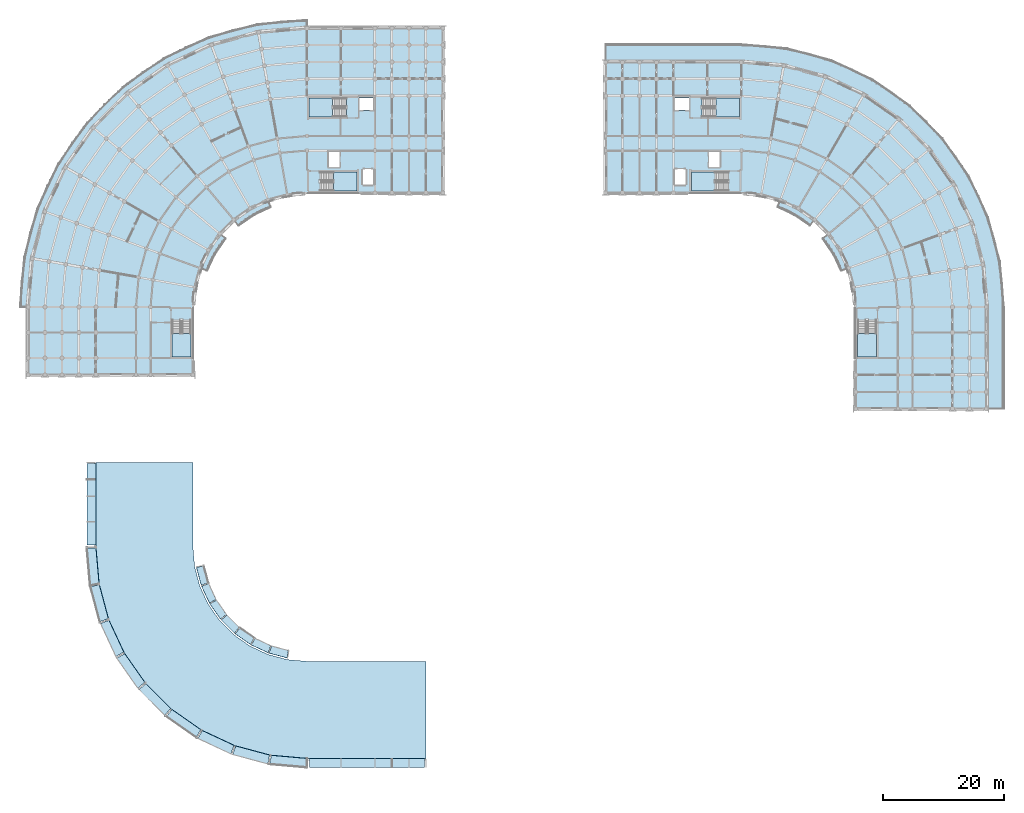
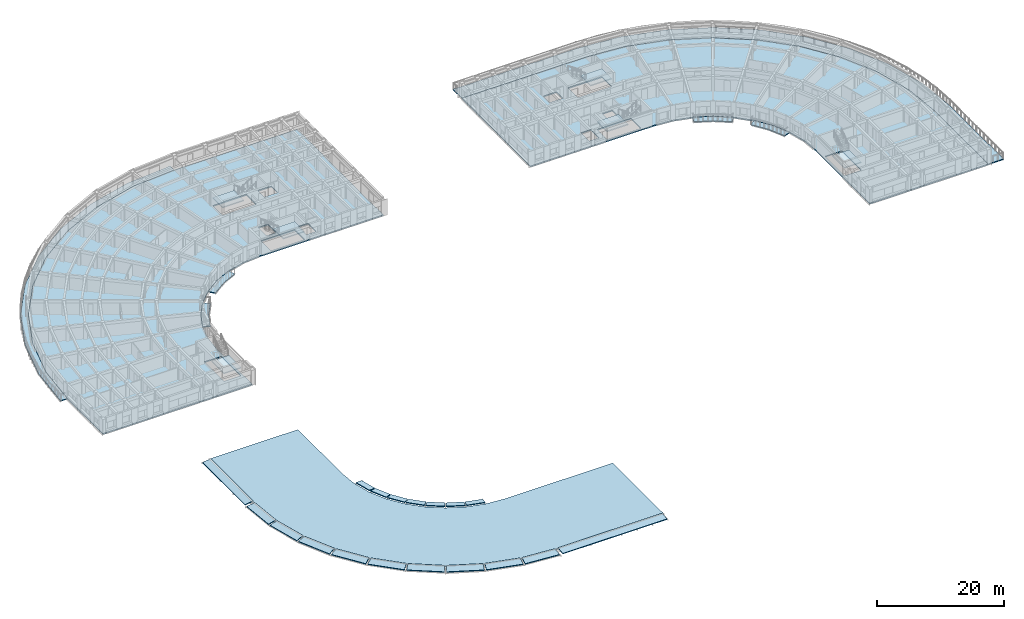
# One storey, part 11 of 41: 33 slabs, 7 elements without a shape of their own.
"""IFC4 building model written with IfcOpenShell, lengths in metres."""

from ifc_helpers import new_model, si_unit, direction, frame, origin, place, context, subcontext, project, spatial, polyline, outline, extrude, material, layer, layer_set, type_object, element, aggregate, save


model = new_model("IFC4")

# Units and contexts
model_context = context("Model", 3, precision=1e-05, world=origin(), true_north=direction((0.0, 1.0)))
body_context = subcontext(model_context, "Body", "Model", "MODEL_VIEW")
ifc_project = project(units=[si_unit("LENGTHUNIT", "METRE"), si_unit("AREAUNIT", "SQUARE_METRE"), si_unit("VOLUMEUNIT", "CUBIC_METRE"), si_unit("PLANEANGLEUNIT", "RADIAN"), si_unit("MASSUNIT", "GRAM", prefix="KILO")], contexts=[model_context])

# Site, building, storey
site_placement = place(None, origin())
site = spatial("IfcSite", under=ifc_project, at=site_placement, CompositionType="ELEMENT")
building_placement = place(site_placement, origin())
building = spatial("IfcBuilding", under=site, at=building_placement, Name="Kiranvali Square Residences", CompositionType="ELEMENT")
storey_placement = place(building_placement, frame((0.0, 0.0, 33.89990234375)))
storey = spatial("IfcBuildingStorey", under=building, at=storey_placement, Name="L10", CompositionType="ELEMENT", Elevation=33.89990234375)

# Slabs
ifc_material_1 = material(Name="Concrete M35 (35 MPa)", Category="concrete")
ifc_layer_1 = layer(ifc_material_1, 0.179931640625)
ifc_layer_set_1 = layer_set([ifc_layer_1], Name="Concrete M35 (35 MPa)")
slab_type_1 = type_object("IfcSlabType", Name="SLB-BAL-180", PredefinedType="FLOOR", material=ifc_layer_set_1)
slab_1_placement = place(storey_placement, frame((0.0, 0.0, -0.179931640625)))
element("IfcSlab", 1, at=slab_1_placement, inside=storey, type_object=slab_type_1, Name="Block A L10 continuous curved corner balcony slab", PredefinedType="FLOOR", context=body_context, shape_type="SweptSolid", body=[
    extrude(outline(polyline([(48.199951171875, 135.050048828125), (39.9951171875, 134.332275390625), (32.03955078125, 132.200439453125), (24.574951171875, 128.7197265625), (17.828369140625, 123.99560546875), (12.00439453125, 118.171630859375), (7.2802734375, 111.425048828125), (3.799560546875, 103.96044921875), (1.667724609375, 96.0048828125), (0.949951171875, 87.800048828125), (2.199951171875, 87.800048828125), (2.89892578125, 95.787841796875), (4.97412109375, 103.532958984375), (8.36279296875, 110.800048828125), (12.9619140625, 117.3681640625), (18.6318359375, 123.0380859375), (25.199951171875, 127.63720703125), (32.467041015625, 131.02587890625), (40.212158203125, 133.10107421875), (48.199951171875, 133.800048828125), (48.199951171875, 135.050048828125)])), origin(), (0.0, 0.0, 1.0), 0.179931640625),
])
ifc_layer_2 = layer(ifc_material_1, 0.219970703125)
ifc_layer_set_2 = layer_set([ifc_layer_2], Name="Concrete M35 (35 MPa)")
slab_type_2 = type_object("IfcSlabType", Name="SLB-FLR-220", PredefinedType="FLOOR", material=ifc_layer_set_2)
slab_2_placement = place(storey_placement, frame((0.0, 0.0, -0.219970703125)))
element("IfcSlab", 2, at=slab_2_placement, inside=storey, type_object=slab_type_2, Name="Block A L10 structural floor slab", PredefinedType="FLOOR", context=body_context, shape_type="SweptSolid", body=[
    extrude(outline(polyline([(70.60009765625, 106.60009765625), (70.60009765625, 133.800048828125), (48.199951171875, 133.800048828125), (40.212158203125, 133.10107421875), (32.467041015625, 131.02587890625), (25.199951171875, 127.63720703125), (18.6318359375, 123.0380859375), (12.9619140625, 117.3681640625), (8.36279296875, 110.800048828125), (4.97412109375, 103.532958984375), (2.89892578125, 95.787841796875), (2.199951171875, 87.800048828125), (2.199951171875, 76.60009765625), (29.39990234375, 76.60009765625), (29.39990234375, 87.800048828125), (29.685546875, 91.064697265625), (30.53369140625, 94.22998046875), (31.918701171875, 97.199951171875), (33.79833984375, 99.884521484375), (36.115478515625, 102.20166015625), (38.800048828125, 104.081298828125), (41.77001953125, 105.46630859375), (44.935302734375, 106.314453125), (48.199951171875, 106.60009765625), (70.60009765625, 106.60009765625)]), holes=[polyline([(56.800048828125, 120.25), (59.25, 120.25), (59.25, 122.25), (56.800048828125, 122.25), (56.800048828125, 120.25)]), polyline([(57.35009765625, 107.949951171875), (59.14990234375, 107.949951171875), (59.14990234375, 110.550048828125), (57.35009765625, 110.550048828125), (57.35009765625, 107.949951171875)]), polyline([(51.75, 110.85009765625), (53.550048828125, 110.85009765625), (53.550048828125, 113.449951171875), (51.75, 113.449951171875), (51.75, 110.85009765625)]), polyline([(54.699951171875, 122.25), (48.550048828125, 122.25), (48.550048828125, 119.14990234375), (54.699951171875, 119.14990234375), (54.699951171875, 122.25)]), polyline([(50.300048828125, 106.949951171875), (56.449951171875, 106.949951171875), (56.449951171875, 110.050048828125), (50.300048828125, 110.050048828125), (50.300048828125, 106.949951171875)]), polyline([(25.949951171875, 85.699951171875), (25.949951171875, 79.550048828125), (29.050048828125, 79.550048828125), (29.050048828125, 85.699951171875), (25.949951171875, 85.699951171875)])]), origin(), (0.0, 0.0, 1.0), 0.219970703125),
])
slab_3_placement = place(storey_placement, frame((0.0, 0.0, -0.219970703125)))
element("IfcSlab", 3, at=slab_3_placement, inside=storey, type_object=slab_type_2, Name="Block B L10 structural floor slab", PredefinedType="FLOOR", context=body_context, shape_type="SweptSolid", body=[
    extrude(outline(polyline([(119.800048828125, 106.60009765625), (123.064697265625, 106.314453125), (126.22998046875, 105.46630859375), (129.199951171875, 104.081298828125), (131.884521484375, 102.20166015625), (134.20166015625, 99.884521484375), (136.081298828125, 97.199951171875), (137.46630859375, 94.22998046875), (138.314453125, 91.064697265625), (138.60009765625, 87.800048828125), (138.60009765625, 71.0), (160.199951171875, 71.0), (160.199951171875, 87.800048828125), (159.586181640625, 94.8154296875), (157.763671875, 101.61767578125), (154.787353515625, 108.0), (150.748291015625, 113.7685546875), (145.7685546875, 118.748291015625), (140.0, 122.787353515625), (133.61767578125, 125.763671875), (126.8154296875, 127.586181640625), (119.800048828125, 128.199951171875), (97.39990234375, 128.199951171875), (97.39990234375, 106.60009765625), (119.800048828125, 106.60009765625)]), holes=[polyline([(108.75, 120.25), (111.199951171875, 120.25), (111.199951171875, 122.25), (108.75, 122.25), (108.75, 120.25)]), polyline([(108.85009765625, 107.949951171875), (110.64990234375, 107.949951171875), (110.64990234375, 110.550048828125), (108.85009765625, 110.550048828125), (108.85009765625, 107.949951171875)]), polyline([(114.449951171875, 110.85009765625), (116.25, 110.85009765625), (116.25, 113.449951171875), (114.449951171875, 113.449951171875), (114.449951171875, 110.85009765625)]), polyline([(113.300048828125, 119.14990234375), (119.449951171875, 119.14990234375), (119.449951171875, 122.25), (113.300048828125, 122.25), (113.300048828125, 119.14990234375)]), polyline([(117.699951171875, 110.050048828125), (111.550048828125, 110.050048828125), (111.550048828125, 106.949951171875), (117.699951171875, 106.949951171875), (117.699951171875, 110.050048828125)]), polyline([(138.949951171875, 85.699951171875), (138.949951171875, 79.550048828125), (142.050048828125, 79.550048828125), (142.050048828125, 85.699951171875), (138.949951171875, 85.699951171875)])]), origin(), (0.0, 0.0, 1.0), 0.219970703125),
])
ifc_layer_3 = layer(ifc_material_1, 0.169921875)
ifc_layer_set_3 = layer_set([ifc_layer_3], Name="Concrete M35 (35 MPa)")
slab_type_3 = type_object("IfcSlabType", Name="SLB-GBAL-170", PredefinedType="FLOOR", material=ifc_layer_set_3)
slab_4_placement = place(storey_placement, frame((0.0, 0.0, -0.179931640625)))
element("IfcSlab", 4, at=slab_4_placement, inside=storey, type_object=slab_type_3, Name="Block A L10 garden balcony slab 1", PredefinedType="FLOOR", context=body_context, shape_type="SweptSolid", body=[
    extrude(outline(polyline([(41.77001953125, 105.46630859375), (38.800048828125, 104.081298828125), (36.115478515625, 102.20166015625), (36.919189453125, 101.244140625), (39.425048828125, 102.998779296875), (42.197509765625, 104.29150390625), (41.77001953125, 105.46630859375)])), origin(), (0.0, 0.0, 1.0), 0.179931640625),
])
slab_5_placement = place(storey_placement, frame((0.0, 0.0, -0.179931640625)))
element("IfcSlab", 5, at=slab_5_placement, inside=storey, type_object=slab_type_3, Name="Block A L10 garden balcony slab 2", PredefinedType="FLOOR", context=body_context, shape_type="SweptSolid", body=[
    extrude(outline(polyline([(33.79833984375, 99.884521484375), (31.918701171875, 97.199951171875), (30.53369140625, 94.22998046875), (31.70849609375, 93.802490234375), (33.001220703125, 96.574951171875), (34.755859375, 99.080810546875), (33.79833984375, 99.884521484375)])), origin(), (0.0, 0.0, 1.0), 0.179931640625),
])
slab_6_placement = place(storey_placement, frame((0.0, 0.0, -0.179931640625)))
element("IfcSlab", 6, at=slab_6_placement, inside=storey, type_object=slab_type_3, Name="Block B L10 garden balcony slab 1", PredefinedType="FLOOR", context=body_context, shape_type="SweptSolid", body=[
    extrude(outline(polyline([(125.802490234375, 104.29150390625), (128.574951171875, 102.998779296875), (131.080810546875, 101.244140625), (131.884521484375, 102.20166015625), (129.199951171875, 104.081298828125), (126.22998046875, 105.46630859375), (125.802490234375, 104.29150390625)])), origin(), (0.0, 0.0, 1.0), 0.179931640625),
])
slab_7_placement = place(storey_placement, frame((0.0, 0.0, -0.179931640625)))
element("IfcSlab", 7, at=slab_7_placement, inside=storey, type_object=slab_type_3, Name="Block B L10 garden balcony slab 2", PredefinedType="FLOOR", context=body_context, shape_type="SweptSolid", body=[
    extrude(outline(polyline([(133.244140625, 99.080810546875), (134.998779296875, 96.574951171875), (136.29150390625, 93.802490234375), (137.46630859375, 94.22998046875), (136.081298828125, 97.199951171875), (134.20166015625, 99.884521484375), (133.244140625, 99.080810546875)])), origin(), (0.0, 0.0, 1.0), 0.179931640625),
])

# Stair, slab
stair_type = type_object("IfcStairType", Name="ST-CORE-1700", PredefinedType="HALF_TURN_STAIR", material=ifc_material_1)
stair_1_placement = place(storey_placement, origin())
stair_1 = element("IfcStair", 8, at=stair_1_placement, inside=storey, type_object=stair_type, Name="L10 Block A Firefighting Exit Stair 1", PredefinedType="HALF_TURN_STAIR")
ifc_layer_4 = layer(ifc_material_1, 0.199951171875)
ifc_layer_set_4 = layer_set([ifc_layer_4], Name="Concrete M35 (35 MPa)")
slab_type_4 = type_object("IfcSlabType", Name="SLB-LND-200", PredefinedType="LANDING", material=ifc_layer_set_4)
slab_8_placement = place(storey_placement, frame((0.0, 0.0, 1.375)))
slab_8 = element("IfcSlab", 9, at=slab_8_placement, type_object=slab_type_4, Name="ST-A1 landing 1", PredefinedType="LANDING", context=body_context, shape_type="SweptSolid", body=[
    extrude(outline(polyline([(52.419921875, 122.25), (48.550048828125, 122.25), (48.550048828125, 119.14990234375), (52.419921875, 119.14990234375), (52.419921875, 122.25)])), origin(), (0.0, 0.0, 1.0), 0.2001953125),
])
aggregate(stair_1, [slab_8])

stair_2_placement = place(storey_placement, origin())
stair_2 = element("IfcStair", 10, at=stair_2_placement, inside=storey, type_object=stair_type, Name="L10 Block A Protected Exit Stair 2", PredefinedType="HALF_TURN_STAIR")
slab_9_placement = place(storey_placement, frame((0.0, 0.0, 1.375)))
slab_9 = element("IfcSlab", 11, at=slab_9_placement, type_object=slab_type_4, Name="ST-A2 landing 1", PredefinedType="LANDING", context=body_context, shape_type="SweptSolid", body=[
    extrude(outline(polyline([(52.580078125, 106.949951171875), (56.449951171875, 106.949951171875), (56.449951171875, 110.050048828125), (52.580078125, 110.050048828125), (52.580078125, 106.949951171875)])), origin(), (0.0, 0.0, 1.0), 0.2001953125),
])
aggregate(stair_2, [slab_9])

stair_3_placement = place(storey_placement, origin())
stair_3 = element("IfcStair", 12, at=stair_3_placement, inside=storey, type_object=stair_type, Name="L10 Block A Wing Protected Exit Stair 3", PredefinedType="HALF_TURN_STAIR")
slab_10_placement = place(storey_placement, frame((0.0, 0.0, 1.375)))
slab_10 = element("IfcSlab", 13, at=slab_10_placement, type_object=slab_type_4, Name="ST-A3 landing 1", PredefinedType="LANDING", context=body_context, shape_type="SweptSolid", body=[
    extrude(outline(polyline([(25.949951171875, 83.419921875), (25.949951171875, 79.550048828125), (29.050048828125, 79.550048828125), (29.050048828125, 83.419921875), (25.949951171875, 83.419921875)])), origin(), (0.0, 0.0, 1.0), 0.2001953125),
])
aggregate(stair_3, [slab_10])

stair_4_placement = place(storey_placement, origin())
stair_4 = element("IfcStair", 14, at=stair_4_placement, inside=storey, type_object=stair_type, Name="L10 Block B Firefighting Exit Stair 1", PredefinedType="HALF_TURN_STAIR")
slab_11_placement = place(storey_placement, frame((0.0, 0.0, 1.375)))
slab_11 = element("IfcSlab", 15, at=slab_11_placement, type_object=slab_type_4, Name="ST-B1 landing 1", PredefinedType="LANDING", context=body_context, shape_type="SweptSolid", body=[
    extrude(outline(polyline([(115.580078125, 119.14990234375), (119.449951171875, 119.14990234375), (119.449951171875, 122.25), (115.580078125, 122.25), (115.580078125, 119.14990234375)])), origin(), (0.0, 0.0, 1.0), 0.2001953125),
])
aggregate(stair_4, [slab_11])

stair_5_placement = place(storey_placement, origin())
stair_5 = element("IfcStair", 16, at=stair_5_placement, inside=storey, type_object=stair_type, Name="L10 Block B Protected Exit Stair 2", PredefinedType="HALF_TURN_STAIR")
slab_12_placement = place(storey_placement, frame((0.0, 0.0, 1.375)))
slab_12 = element("IfcSlab", 17, at=slab_12_placement, type_object=slab_type_4, Name="ST-B2 landing 1", PredefinedType="LANDING", context=body_context, shape_type="SweptSolid", body=[
    extrude(outline(polyline([(115.419921875, 110.050048828125), (111.550048828125, 110.050048828125), (111.550048828125, 106.949951171875), (115.419921875, 106.949951171875), (115.419921875, 110.050048828125)])), origin(), (0.0, 0.0, 1.0), 0.2001953125),
])
aggregate(stair_5, [slab_12])

stair_6_placement = place(storey_placement, origin())
stair_6 = element("IfcStair", 18, at=stair_6_placement, inside=storey, type_object=stair_type, Name="L10 Block B Wing Protected Exit Stair 3", PredefinedType="HALF_TURN_STAIR")
slab_13_placement = place(storey_placement, frame((0.0, 0.0, 1.375)))
slab_13 = element("IfcSlab", 19, at=slab_13_placement, type_object=slab_type_4, Name="ST-B3 landing 1", PredefinedType="LANDING", context=body_context, shape_type="SweptSolid", body=[
    extrude(outline(polyline([(138.949951171875, 83.419921875), (138.949951171875, 79.550048828125), (142.050048828125, 79.550048828125), (142.050048828125, 83.419921875), (138.949951171875, 83.419921875)])), origin(), (0.0, 0.0, 1.0), 0.2001953125),
])
aggregate(stair_6, [slab_13])

# Roof, slabs
ifc_material_2 = material(Name="Concrete M40 (40 MPa)", Category="concrete")
roof_type = type_object("IfcRoofType", Name="RF-FLAT-TOWER", PredefinedType="FLAT_ROOF", material=ifc_material_2)
roof_placement = place(storey_placement, origin())
roof = element("IfcRoof", 20, at=roof_placement, inside=storey, type_object=roof_type, Name="Block C Classical Ottoman overhanging eave roof assembly", PredefinedType="FLAT_ROOF")
ifc_layer_5 = layer(ifc_material_1, 0.159912109375)
ifc_layer_set_5 = layer_set([ifc_layer_5], Name="Concrete M35 (35 MPa)")
slab_type_5 = type_object("IfcSlabType", Name="SLB-PITCH-160", PredefinedType="ROOF", material=ifc_layer_set_5)
slab_14_placement = place(storey_placement, frame((48.048095703125, 13.400390625, 0.1201171875), z_axis=(-0.01155371317, -0.132077386786, 0.991172071646), x_axis=(-0.996196417358, 0.087136089201, -1.070158e-06)))
slab_14 = element("IfcSlab", 21, at=slab_14_placement, type_object=slab_type_5, Name="Block C pitched Ottoman eave slab 1", PredefinedType="ROOF", context=body_context, shape_type="SweptSolid", body=[
    extrude(outline(polyline([(0.0, 0.0), (5.763376484986024, 0.0), (5.887506399633809, 1.508087265608435), (-0.12413719539198545, 1.50818230980267), (0.0, 0.0)])), origin(), (0.0, 0.0, -1.0), 0.159912109375),
])
slab_15_placement = place(storey_placement, frame((42.007568359375, 13.955322265625, 0.1201171875), z_axis=(-0.034317124777, -0.128067969101, 0.991171493858), x_axis=(-0.965926252049, 0.258817456134, -1.599867e-06)))
slab_15 = element("IfcSlab", 22, at=slab_15_placement, type_object=slab_type_5, Name="Block C pitched Ottoman eave slab 2", PredefinedType="ROOF", context=body_context, shape_type="SweptSolid", body=[
    extrude(outline(polyline([(0.0, 0.0), (5.763523189076189, 2.220446049250313e-16), (5.88773746597505, 1.5080146101160903), (-0.12428018457177165, 1.5081567011770178), (0.0, 0.0)])), origin(), (0.0, 0.0, -1.0), 0.159912109375),
])
slab_16_placement = place(storey_placement, frame((44.90087890625, 29.955810546875, 0.1201171875), z_axis=(0.041341116171, 0.154275349142, 0.987162615156), x_axis=(-0.965926606435, 0.258816133515, 3.580653e-06)))
slab_16 = element("IfcSlab", 23, at=slab_16_placement, type_object=slab_type_5, Name="Block C inner garden Ottoman eave slab 2", PredefinedType="ROOF", context=body_context, shape_type="SweptSolid", body=[
    extrude(outline(polyline([(0.0, 0.0), (3.070440168351265, 0.0), (2.9678686217545214, -1.2519646038923613), (0.10262755140085908, -1.2518315345909032), (0.0, 0.0)])), origin(), (0.0, 0.0, -1.0), 0.159912109375),
])
slab_17_placement = place(storey_placement, frame((36.155029296875, 15.551025390625, 0.1201171875), z_axis=(-0.05602724844, -0.120154987541, 0.991172904392), x_axis=(-0.906318283861, 0.422595750495, -1.546168e-06)))
slab_17 = element("IfcSlab", 24, at=slab_17_placement, type_object=slab_type_5, Name="Block C pitched Ottoman eave slab 3", PredefinedType="ROOF", context=body_context, shape_type="SweptSolid", body=[
    extrude(outline(polyline([(0.0, 0.0), (5.763304416540351, 0.0), (5.887630583694148, 1.5081369444436816), (-0.12437269624153215, 1.5082742744762854), (0.0, 0.0)])), origin(), (0.0, 0.0, -1.0), 0.159912109375),
])
slab_18_placement = place(storey_placement, frame((41.782958984375, 30.805908203125, 0.1201171875), z_axis=(0.067505589194, 0.144760890735, 0.987161222872), x_axis=(-0.906306884237, 0.422620197792, 1.928698e-06)))
slab_18 = element("IfcSlab", 25, at=slab_18_placement, type_object=slab_type_5, Name="Block C inner garden Ottoman eave slab 3", PredefinedType="ROOF", context=body_context, shape_type="SweptSolid", body=[
    extrude(outline(polyline([(0.0, 0.0), (3.070388725046991, 0.0), (2.967815518108885, -1.2518664611509276), (0.10266019540671836, -1.2517947896613018), (0.0, 0.0)])), origin(), (0.0, 0.0, -1.0), 0.159912109375),
])
slab_19_placement = place(storey_placement, frame((30.668701171875, 18.138427734375, 0.1201171875), z_axis=(-0.076044549013, -0.108603655576, 0.991172271889), x_axis=(-0.819144518915, 0.573587183545, 2.208907e-06)))
slab_19 = element("IfcSlab", 26, at=slab_19_placement, type_object=slab_type_5, Name="Block C pitched Ottoman eave slab 4", PredefinedType="ROOF", context=body_context, shape_type="SweptSolid", body=[
    extrude(outline(polyline([(0.0, 0.0), (5.763564638465768, 0.0), (5.887781227980728, 1.5082499124056705), (-0.1242130630196144, 1.5080537209843436), (0.0, 0.0)])), origin(), (0.0, 0.0, -1.0), 0.159912109375),
])
slab_20_placement = place(storey_placement, frame((38.860107421875, 32.1845703125, 0.1201171875), z_axis=(0.091616313261, 0.130854166302, 0.987159378371), x_axis=(-0.819197777689, 0.573511116717, 5.633519e-06)))
slab_20 = element("IfcSlab", 27, at=slab_20_placement, type_object=slab_type_5, Name="Block C inner garden Ottoman eave slab 4", PredefinedType="ROOF", context=body_context, shape_type="SweptSolid", body=[
    extrude(outline(polyline([(0.0, 0.0), (3.0705396456073046, 0.0), (2.9677080818851853, -1.2518459558197284), (0.10265643062916806, -1.2516366244273593), (0.0, 0.0)])), origin(), (0.0, 0.0, -1.0), 0.159912109375),
])
slab_21_placement = place(storey_placement, frame((25.71484375, 21.639404296875, 0.1201171875), z_axis=(-0.093748705889, -0.093748705889, 0.991172215252), x_axis=(-0.707106781187, 0.707106781187, 0.0)))
slab_21 = element("IfcSlab", 28, at=slab_21_placement, type_object=slab_type_5, Name="Block C pitched Ottoman eave slab 5", PredefinedType="ROOF", context=body_context, shape_type="SweptSolid", body=[
    extrude(outline(polyline([(0.0, 0.0), (5.763541747239765, 0.0), (5.8876652276287125, 1.5081469999875332), (-0.12412348038894716, 1.508146999987533), (0.0, 0.0)])), origin(), (0.0, 0.0, -1.0), 0.159912109375),
])
slab_22_placement = place(storey_placement, frame((36.220947265625, 34.049560546875, 0.1201171875), z_axis=(0.112948342878, 0.112948342878, 0.98716024215), x_axis=(-0.707106781187, 0.707106781187, 0.0)))
slab_22 = element("IfcSlab", 29, at=slab_22_placement, type_object=slab_type_5, Name="Block C inner garden Ottoman eave slab 5", PredefinedType="ROOF", context=body_context, shape_type="SweptSolid", body=[
    extrude(outline(polyline([(0.0, 0.0), (3.0708045468130636, 0.0), (2.967914985878693, -1.2517831243585786), (0.10288956093437063, -1.2517831243585784), (0.0, 0.0)])), origin(), (0.0, 0.0, -1.0), 0.159912109375),
])
slab_23_placement = place(storey_placement, frame((21.4443359375, 25.947509765625, 0.1201171875), z_axis=(-0.108603655576, -0.076044549013, 0.991172271889), x_axis=(-0.573587183545, 0.819144518915, -2.208907e-06)))
slab_23 = element("IfcSlab", 30, at=slab_23_placement, type_object=slab_type_5, Name="Block C pitched Ottoman eave slab 6", PredefinedType="ROOF", context=body_context, shape_type="SweptSolid", body=[
    extrude(outline(polyline([(0.0, 0.0), (5.763564638465768, 0.0), (5.8877777014853825, 1.5080537209843436), (-0.12421658951495954, 1.5082499124056707), (0.0, 0.0)])), origin(), (0.0, 0.0, -1.0), 0.159912109375),
])
slab_24_placement = place(storey_placement, frame((33.945556640625, 36.3447265625, 0.1201171875), z_axis=(0.130854166302, 0.091616313261, 0.987159378371), x_axis=(-0.573511116717, 0.819197777689, -5.633519e-06)))
slab_24 = element("IfcSlab", 31, at=slab_24_placement, type_object=slab_type_5, Name="Block C inner garden Ottoman eave slab 6", PredefinedType="ROOF", context=body_context, shape_type="SweptSolid", body=[
    extrude(outline(polyline([(0.0, 0.0), (3.0705396456073046, 0.0), (2.9678832149781362, -1.2516366244273593), (0.10283156372211912, -1.2518459558197284), (0.0, 0.0)])), origin(), (0.0, 0.0, -1.0), 0.159912109375),
])
slab_25_placement = place(storey_placement, frame((17.986572265625, 30.931640625, 0.1201171875), z_axis=(-0.120154987541, -0.05602724844, 0.991172904392), x_axis=(-0.422595750495, 0.906318283861, 1.546168e-06)))
slab_25 = element("IfcSlab", 32, at=slab_25_placement, type_object=slab_type_5, Name="Block C pitched Ottoman eave slab 7", PredefinedType="ROOF", context=body_context, shape_type="SweptSolid", body=[
    extrude(outline(polyline([(0.0, 0.0), (5.763304416540351, 0.0), (5.887677112781883, 1.5082742744762854), (-0.1243261671537965, 1.5081369444436816), (0.0, 0.0)])), origin(), (0.0, 0.0, -1.0), 0.159912109375),
])
slab_26_placement = place(storey_placement, frame((32.103515625, 39.000244140625, 0.1201171875), z_axis=(0.144760890735, 0.067505589194, 0.987161222872), x_axis=(-0.422620197792, 0.906306884237, -1.928698e-06)))
slab_26 = element("IfcSlab", 33, at=slab_26_placement, type_object=slab_type_5, Name="Block C inner garden Ottoman eave slab 7", PredefinedType="ROOF", context=body_context, shape_type="SweptSolid", body=[
    extrude(outline(polyline([(0.0, 0.0), (3.070388725046991, 0.0), (2.9677285296402727, -1.2517947896613018), (0.10257320693810537, -1.2518664611509276), (0.0, 0.0)])), origin(), (0.0, 0.0, -1.0), 0.159912109375),
])
slab_27_placement = place(storey_placement, frame((15.447021484375, 36.4404296875, 0.1201171875), z_axis=(-0.128067969101, -0.034317124777, 0.991171493858), x_axis=(-0.258817456134, 0.965926252049, 1.599867e-06)))
slab_27 = element("IfcSlab", 34, at=slab_27_placement, type_object=slab_type_5, Name="Block C pitched Ottoman eave slab 8", PredefinedType="ROOF", context=body_context, shape_type="SweptSolid", body=[
    extrude(outline(polyline([(0.0, 0.0), (5.763523189076189, -2.220446049250313e-16), (5.88780337364796, 1.5081567011770178), (-0.12421427689886178, 1.50801461011609), (0.0, 0.0)])), origin(), (0.0, 0.0, -1.0), 0.159912109375),
])
slab_28_placement = place(storey_placement, frame((30.75048828125, 41.93505859375, 0.1201171875), z_axis=(0.154275349142, 0.041341116171, 0.987162615156), x_axis=(-0.258816133515, 0.965926606435, -3.580653e-06)))
slab_28 = element("IfcSlab", 35, at=slab_28_placement, type_object=slab_type_5, Name="Block C inner garden Ottoman eave slab 8", PredefinedType="ROOF", context=body_context, shape_type="SweptSolid", body=[
    extrude(outline(polyline([(0.0, 0.0), (3.070440168351265, 0.0), (2.967812616950406, -1.2518315345909032), (0.10257154659674356, -1.2519646038923613), (0.0, 0.0)])), origin(), (0.0, 0.0, -1.0), 0.159912109375),
])
slab_29_placement = place(storey_placement, frame((13.902587890625, 42.306640625, 0.1201171875), z_axis=(-0.132077386786, -0.01155371317, 0.991172071646), x_axis=(-0.087136089201, 0.996196417358, 1.070158e-06)))
slab_29 = element("IfcSlab", 36, at=slab_29_placement, type_object=slab_type_5, Name="Block C pitched Ottoman eave slab 9", PredefinedType="ROOF", context=body_context, shape_type="SweptSolid", body=[
    extrude(outline(polyline([(0.0, 0.0), (5.763376484986024, 0.0), (5.887513680378009, 1.50818230980267), (-0.12412991464778432, 1.508087265608435), (0.0, 0.0)])), origin(), (0.0, 0.0, -1.0), 0.159912109375),
])
slab_30_placement = place(storey_placement, frame((48.60009765625, 13.39990234375, 0.1201171875), z_axis=(0.0, -0.132132016963, 0.99123212725), x_axis=(1.0, 0.0, 0.0)))
slab_30 = element("IfcSlab", 37, at=slab_30_placement, type_object=slab_type_5, Name="Block C Arm 1 pitched Ottoman eave slab", PredefinedType="ROOF", context=body_context, shape_type="SweptSolid", body=[
    extrude(outline(polyline([(0.0, 0.0), (19.0, 0.0), (19.0, -1.5132681425095111), (0.0, -1.5132681425095111), (0.0, 0.0)])), origin(), (0.0, 0.0, -1.0), 0.159912109375),
])
slab_31_placement = place(storey_placement, frame((13.39990234375, 48.60009765625, 0.1201171875), z_axis=(-0.132132016963, 0.0, 0.99123212725), x_axis=(0.0, 1.0, 0.0)))
slab_31 = element("IfcSlab", 38, at=slab_31_placement, type_object=slab_type_5, Name="Block C Arm 2 pitched Ottoman eave slab", PredefinedType="ROOF", context=body_context, shape_type="SweptSolid", body=[
    extrude(outline(polyline([(0.0, 0.0), (13.39990234375, 0.0), (13.39990234375, 1.513268142509511), (0.0, 1.513268142509511), (0.0, 0.0)])), origin(), (0.0, 0.0, -1.0), 0.159912109375),
])
ifc_layer_6 = layer(ifc_material_2, 0.239990234375)
ifc_layer_set_6 = layer_set([ifc_layer_6], Name="Concrete M40 (40 MPa)")
slab_type_6 = type_object("IfcSlabType", Name="SLB-ROOF-240", PredefinedType="ROOF", material=ifc_layer_set_6)
slab_32_placement = place(storey_placement, frame((0.0, 0.0, -0.239990234375)))
slab_32 = element("IfcSlab", 39, at=slab_32_placement, type_object=slab_type_6, Name="Block C main roof slab", PredefinedType="ROOF", context=body_context, shape_type="SweptSolid", body=[
    extrude(outline(polyline([(48.199951171875, 29.39990234375), (44.935302734375, 29.685546875), (41.77001953125, 30.53369140625), (38.800048828125, 31.918701171875), (36.115478515625, 33.79833984375), (33.79833984375, 36.115478515625), (31.918701171875, 38.800048828125), (30.53369140625, 41.77001953125), (29.685546875, 44.935302734375), (29.39990234375, 48.199951171875), (29.39990234375, 62.199951171875), (13.39990234375, 62.199951171875), (13.39990234375, 48.199951171875), (13.9287109375, 42.156982421875), (15.498779296875, 36.297607421875), (18.062255859375, 30.800048828125), (21.541748046875, 25.8310546875), (25.8310546875, 21.541748046875), (30.800048828125, 18.062255859375), (36.297607421875, 15.498779296875), (42.156982421875, 13.9287109375), (48.199951171875, 13.39990234375), (67.800048828125, 13.39990234375), (67.800048828125, 29.39990234375), (48.199951171875, 29.39990234375)])), origin(), (0.0, 0.0, 1.0), 0.239990234375),
])
aggregate(roof, [slab_32, slab_14, slab_15, slab_16, slab_17, slab_18, slab_19, slab_20, slab_21, slab_22, slab_23, slab_24, slab_25, slab_26, slab_27, slab_28, slab_29, slab_30, slab_31])

# Slab
ifc_layer_7 = layer(ifc_material_1, 0.18994140625)
ifc_layer_set_7 = layer_set([ifc_layer_7], Name="Concrete M35 (35 MPa)")
slab_type_7 = type_object("IfcSlabType", Name="SLB-TER-190", PredefinedType="FLOOR", material=ifc_layer_set_7)
slab_33_placement = place(storey_placement, frame((0.0, 0.0, -0.179931640625)))
element("IfcSlab", 40, at=slab_33_placement, inside=storey, type_object=slab_type_7, Name="Block B L10 stepped curved corner balcony terrace slab", PredefinedType="FLOOR", context=body_context, shape_type="SweptSolid", body=[
    extrude(outline(polyline([(97.39990234375, 128.199951171875), (119.800048828125, 128.199951171875), (126.8154296875, 127.586181640625), (133.61767578125, 125.763671875), (140.0, 122.787353515625), (145.7685546875, 118.748291015625), (150.748291015625, 113.7685546875), (154.787353515625, 108.0), (157.763671875, 101.61767578125), (159.586181640625, 94.8154296875), (160.199951171875, 87.800048828125), (160.199951171875, 71.0), (163.0, 71.0), (163.0, 87.800048828125), (162.34375, 95.301513671875), (160.394775390625, 102.5751953125), (157.21240234375, 109.39990234375), (152.89306640625, 115.568359375), (147.568359375, 120.89306640625), (141.39990234375, 125.21240234375), (134.5751953125, 128.394775390625), (127.301513671875, 130.34375), (119.800048828125, 131.0), (97.39990234375, 131.0), (97.39990234375, 128.199951171875)])), origin(), (0.0, 0.0, 1.0), 0.179931640625),
])

save(model, "model.ifc")
